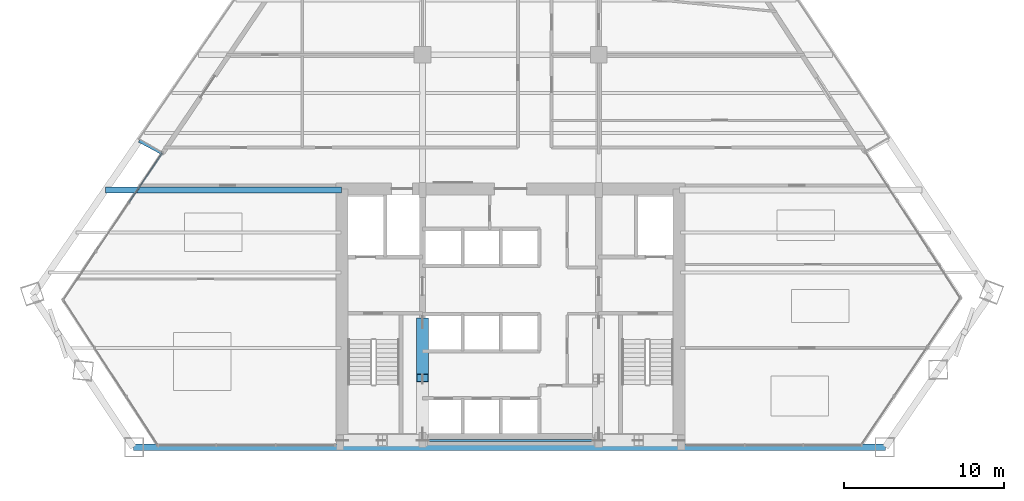
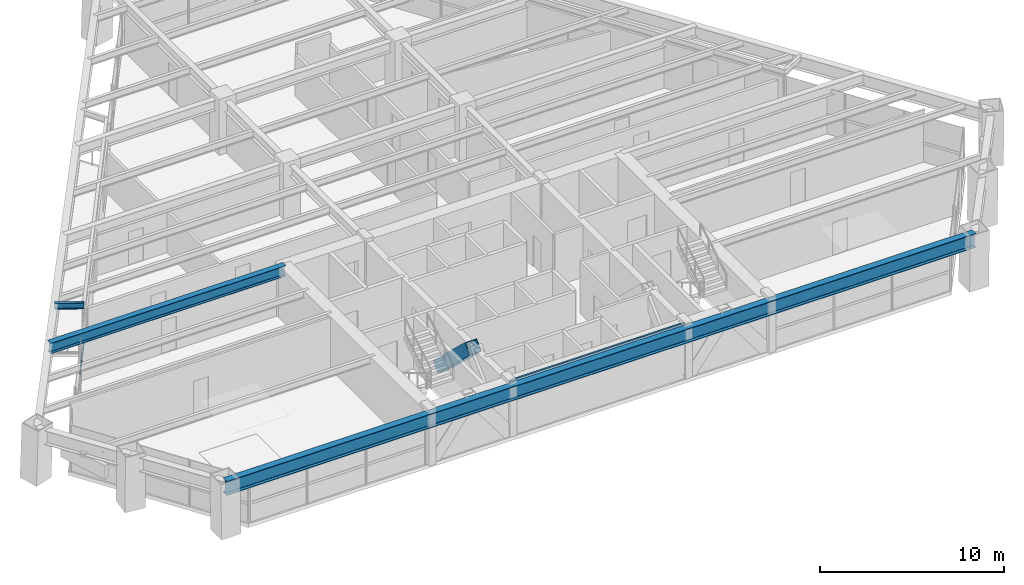
# One storey, part 3 of 14: 4 beams, 2 members, 1 element without a shape of its own.
"""IFC4 building model written with IfcOpenShell, lengths in metres."""

from ifc_helpers import new_model, si_unit, direction, frame, origin, origin_2d, place, context, subcontext, project, spatial, rectangle, hollow_rectangle, i_section, extrude, source, transform, mapped, material, material_profile, profile_set, type_object, type_shapes, element, aggregate, save


model = new_model("IFC4")

# Units and contexts
model_context = context("Model", 3, precision=1e-05, world=origin(), true_north=direction((0.0, 1.0)))
body_context = subcontext(model_context, "Body", "Model", "MODEL_VIEW")
ifc_project = project(units=[si_unit("LENGTHUNIT", "METRE"), si_unit("AREAUNIT", "SQUARE_METRE"), si_unit("VOLUMEUNIT", "CUBIC_METRE"), si_unit("PLANEANGLEUNIT", "RADIAN"), si_unit("MASSUNIT", "GRAM", prefix="KILO")], contexts=[model_context])

# Site, building, storey
site_placement = place(None, origin())
site = spatial("IfcSite", under=ifc_project, at=site_placement, CompositionType="ELEMENT")
building_placement = place(site_placement, origin())
building = spatial("IfcBuilding", under=site, at=building_placement, Name="Varnakhor Terracotta Tower", CompositionType="ELEMENT")
storey_placement = place(building_placement, frame((0.0, 0.0, 87.699951171875)))
storey = spatial("IfcBuildingStorey", under=building, at=storey_placement, Name="L21", CompositionType="ELEMENT", Elevation=87.699951171875)

# Beam
ifc_material_1 = material(Name="Steel S355", Category="steel")
ifc_material_profile_1 = material_profile(ifc_material_1, i_section(OverallWidth=0.1201171875, OverallDepth=0.239990234375, WebThickness=0.006103515625, FlangeThickness=0.009765625, FilletRadius=0.01806640625, at=origin_2d()), Name="IPE240")
ifc_profile_set_1 = profile_set([ifc_material_profile_1], Name="Steel S355")
beam_type_1 = type_object("IfcBeamType", Name="LNT-IPE240", PredefinedType="LINTEL", material=ifc_profile_set_1)
shared_shape_1 = source(origin(), body_context, "Body", "SweptSolid", [
    extrude(i_section(OverallWidth=0.1201171875, OverallDepth=0.239990234375, WebThickness=0.006103515625, FlangeThickness=0.009765625, FilletRadius=0.01806640625, at=origin_2d()), origin(), (0.0, 0.0, 1.0), 11.0),
])
type_shapes(beam_type_1, [shared_shape_1])
beam_1_placement = place(storey_placement, frame((-5.5, 0.419921875, 3.330078125), z_axis=(1.0, 0.0, 0.0), x_axis=(0.0, 1.0, 0.0)))
element("IfcBeam", 1, at=beam_1_placement, inside=storey, type_object=beam_type_1, Name="L21 Core South Coupling Lintel", PredefinedType="LINTEL", context=body_context, shape_type="MappedRepresentation", body=[
    mapped(shared_shape_1, transform((0.0, 0.0, 0.0), scale=1.0)),
])

# Member
ifc_material_2 = material(Name="Steel S460", Category="steel")
ifc_material_profile_2 = material_profile(ifc_material_2, hollow_rectangle(XDim=0.75, YDim=0.75, WallThickness=0.044921875, at=origin_2d()), Name="HSS750X750X45")
ifc_profile_set_2 = profile_set([ifc_material_profile_2], Name="Steel S460")
member_type_1 = type_object("IfcMemberType", Name="MBR-MEGA-750", PredefinedType="BRACE", material=ifc_profile_set_2)
shared_shape_2 = source(origin(), body_context, "Body", "SweptSolid", [
    extrude(hollow_rectangle(XDim=0.75, YDim=0.75, WallThickness=0.044921875, at=origin_2d()), origin(), (0.0, 0.0, 1.0), 4.792236328125),
])
member_1_placement = place(storey_placement, frame((-5.5, 7.800048828125, 0.0), z_axis=(0.0, -0.72513424341, 0.688607529028), x_axis=(1.0, 0.0, 0.0)))
element("IfcMember", 2, at=member_1_placement, inside=storey, type_object=member_type_1, Name="L21 Core Coupled Brace CWWB", PredefinedType="BRACE", context=body_context, shape_type="MappedRepresentation", body=[
    mapped(shared_shape_2, transform((0.0, 0.0, 0.0), scale=1.0)),
])

# Beams
ifc_material_profile_3 = material_profile(ifc_material_1, i_section(OverallWidth=0.41796875, OverallDepth=0.927001953125, WebThickness=0.01904296875, FlangeThickness=0.031982421875, FilletRadius=0.01806640625, at=origin_2d()), Name="W36X231")
ifc_profile_set_3 = profile_set([ifc_material_profile_3], Name="Steel S355")
beam_type_2 = type_object("IfcBeamType", Name="BM-W36X231", PredefinedType="BEAM", material=ifc_profile_set_3)
shared_shape_3 = source(origin(), body_context, "Body", "SweptSolid", [
    extrude(i_section(OverallWidth=0.41796875, OverallDepth=0.927001953125, WebThickness=0.01904296875, FlangeThickness=0.031982421875, FilletRadius=0.01806640625, at=origin_2d()), origin(), (0.0, 0.0, 1.0), 46.943115234375),
])
beam_2_placement = place(storey_placement, frame((-23.551513671875, 0.0, 2.986572265625), z_axis=(1.0, 0.0, 0.0), x_axis=(0.0, 1.0, 0.0)))
element("IfcBeam", 3, at=beam_2_placement, inside=storey, type_object=beam_type_2, Name="L21 Perimeter Spandrel 1", PredefinedType="BEAM", context=body_context, shape_type="MappedRepresentation", body=[
    mapped(shared_shape_3, transform((0.0, 0.0, 0.0), scale=1.0)),
])
ifc_material_profile_4 = material_profile(ifc_material_1, i_section(OverallWidth=0.35498046875, OverallDepth=0.695068359375, WebThickness=0.014892578125, FlangeThickness=0.02490234375, FilletRadius=0.01806640625, at=origin_2d()), Name="W27X146")
ifc_profile_set_4 = profile_set([ifc_material_profile_4], Name="Steel S355")
beam_type_3 = type_object("IfcBeamType", Name="BM-W27X146", PredefinedType="BEAM", material=ifc_profile_set_4)
shared_shape_4 = source(origin(), body_context, "Body", "SweptSolid", [
    extrude(i_section(OverallWidth=0.35498046875, OverallDepth=0.695068359375, WebThickness=0.014892578125, FlangeThickness=0.02490234375, FilletRadius=0.01806640625, at=origin_2d()), origin(), (0.0, 0.0, 1.0), 14.75),
])
beam_3_placement = place(storey_placement, frame((-25.300048828125, 16.050048828125, 3.1025390625), z_axis=(1.0, 0.0, 0.0), x_axis=(0.0, 1.0, 0.0)))
element("IfcBeam", 4, at=beam_3_placement, inside=storey, type_object=beam_type_3, Name="L21 Wing Girder W", PredefinedType="BEAM", context=body_context, shape_type="MappedRepresentation", body=[
    mapped(shared_shape_4, transform((0.0, 0.0, 0.0), scale=1.0)),
])

# Curtain wall, member
ifc_material_3 = material(Name="Anodised Aluminium Curtain Wall System", Category="aluminium")
curtain_wall_type = type_object("IfcCurtainWallType", Name="CW-SYS-LOW-OFFICE", PredefinedType="NOTDEFINED", material=ifc_material_3)
curtain_wall_placement = place(storey_placement, origin())
curtain_wall = element("IfcCurtainWall", 5, at=curtain_wall_placement, inside=storey, type_object=curtain_wall_type, Name="L21 W Facet Curtain Wall 1", PredefinedType="NOTDEFINED")
ifc_material_4 = material(Name="Anodised Aluminium 6063-T6", Category="aluminium")
ifc_material_profile_5 = material_profile(ifc_material_4, rectangle(XDim=0.074951171875, YDim=0.1650390625, at=origin_2d()), Name="ALU TRANSOM 75x165")
ifc_profile_set_5 = profile_set([ifc_material_profile_5], Name="Anodised Aluminium 6063-T6")
member_type_2 = type_object("IfcMemberType", Name="CWT-02", PredefinedType="USERDEFINED", material=ifc_profile_set_5)
shared_shape_5 = source(origin(), body_context, "Body", "SweptSolid", [
    extrude(rectangle(XDim=0.074951171875, YDim=0.1650390625, at=origin_2d()), origin(), (0.0, 0.0, 1.0), 3.692626953125),
])
member_2_placement = place(storey_placement, frame((-23.815673828125, 15.284423828125, 1.272705078125), z_axis=(0.559329773357, 0.828945236211, 0.0), x_axis=(-0.828945236211, 0.559329773357, 0.0)))
member_2 = element("IfcMember", 6, at=member_2_placement, type_object=member_type_2, Name="L21 W Facet Curtain Wall 1 Transom 3", ObjectType="TRANSOM", PredefinedType="USERDEFINED", context=body_context, shape_type="MappedRepresentation", body=[
    mapped(shared_shape_5, transform((0.0, 0.0, 0.0), scale=1.0)),
])
aggregate(curtain_wall, [member_2])

# Beam
ifc_material_profile_6 = material_profile(ifc_material_1, i_section(OverallWidth=0.179931640625, OverallDepth=0.39990234375, WebThickness=0.008544921875, FlangeThickness=0.013427734375, FilletRadius=0.01806640625, at=origin_2d()), Name="IPE400")
ifc_profile_set_6 = profile_set([ifc_material_profile_6], Name="Steel S355")
beam_type_4 = type_object("IfcBeamType", Name="JST-IPE400", PredefinedType="JOIST", material=ifc_profile_set_6)
shared_shape_6 = source(origin(), body_context, "Body", "SweptSolid", [
    extrude(i_section(OverallWidth=0.179931640625, OverallDepth=0.39990234375, WebThickness=0.008544921875, FlangeThickness=0.013427734375, FilletRadius=0.01806640625, at=origin_2d()), origin(), (0.0, 0.0, 1.0), 1.6103515625),
])
beam_4_placement = place(storey_placement, frame((-21.7705078125, 18.356689453125, 3.25), z_axis=(-0.880173991212, 0.474651182653, 0.0), x_axis=(-0.474651182653, -0.880173991212, 0.0)))
element("IfcBeam", 7, at=beam_4_placement, inside=storey, type_object=beam_type_4, Name="L22 W Loggia Tie Beam 1", PredefinedType="JOIST", context=body_context, shape_type="MappedRepresentation", body=[
    mapped(shared_shape_6, transform((0.0, 0.0, 0.0), scale=1.0)),
])

save(model, "model.ifc")
